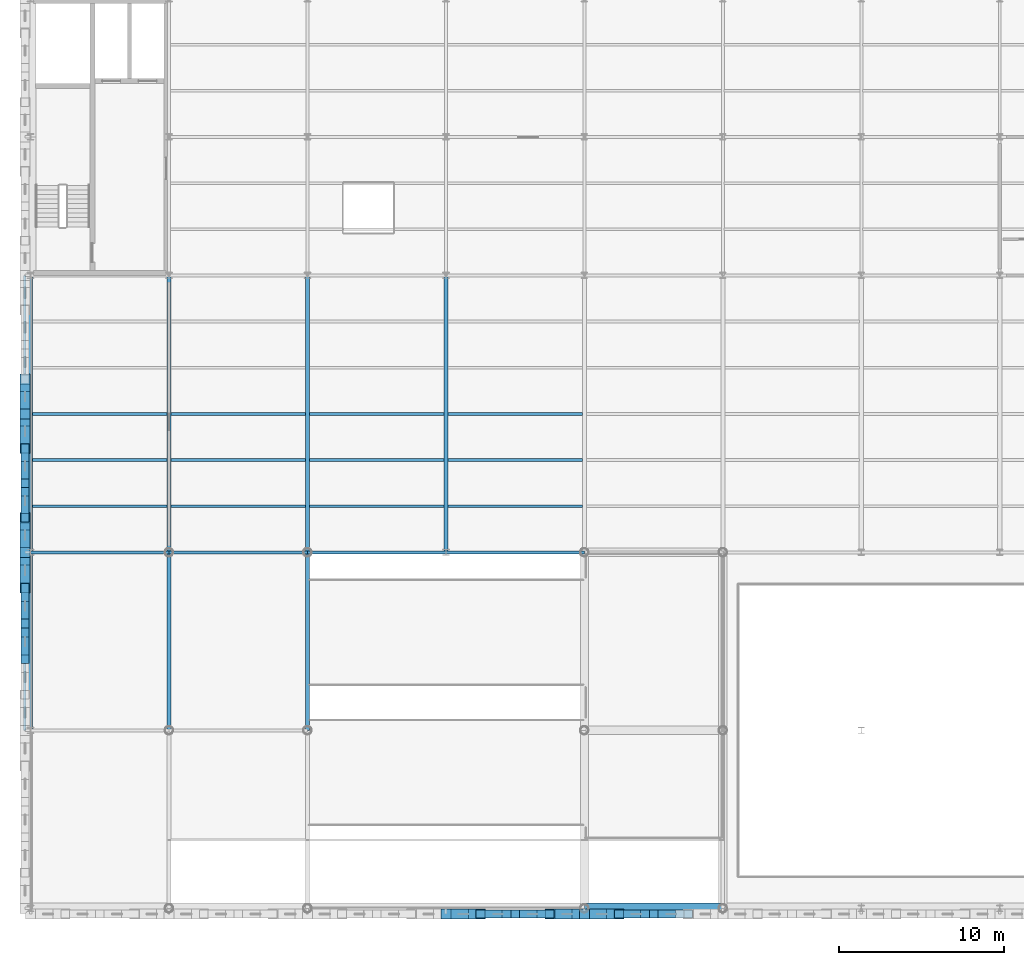
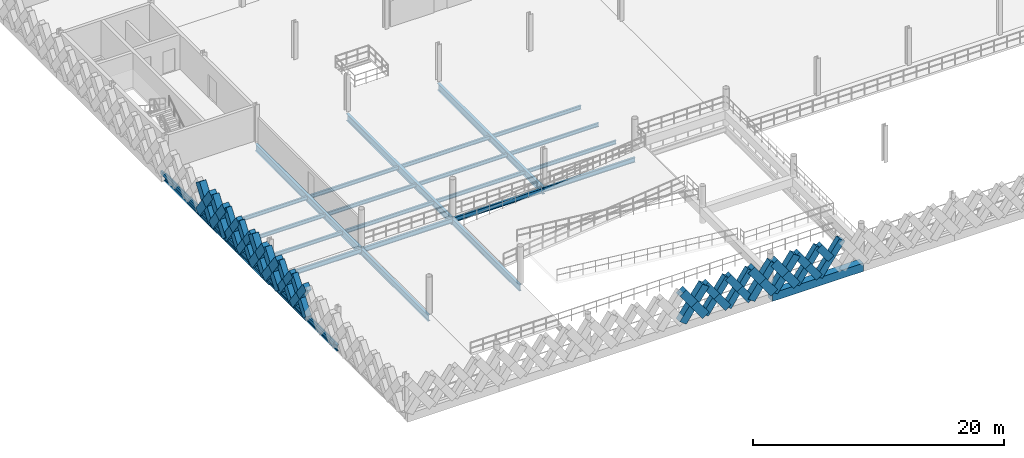
# One storey, part 18 of 74: 46 members, 24 beams.
"""IFC4 building model written with IfcOpenShell, lengths in metres."""

from ifc_helpers import new_model, si_unit, direction, frame, origin, origin_2d, place, context, subcontext, project, spatial, rectangle, hollow_rectangle, i_section, extrude, material, material_profile, profile_set, type_object, element, save


model = new_model("IFC4")

# Units and contexts
model_context = context("Model", 3, precision=1e-05, world=origin(), true_north=direction((0.0, 1.0)))
body_context = subcontext(model_context, "Body", "Model", "MODEL_VIEW")
ifc_project = project(units=[si_unit("LENGTHUNIT", "METRE"), si_unit("AREAUNIT", "SQUARE_METRE"), si_unit("VOLUMEUNIT", "CUBIC_METRE"), si_unit("PLANEANGLEUNIT", "RADIAN"), si_unit("MASSUNIT", "GRAM", prefix="KILO"), si_unit("THERMODYNAMICTEMPERATUREUNIT", "KELVIN"), si_unit("POWERUNIT", "WATT")], contexts=[model_context])

# Site, building, storey
site_placement = place(None, origin())
site = spatial("IfcSite", under=ifc_project, at=site_placement, CompositionType="ELEMENT")
building_placement = place(site_placement, origin())
building = spatial("IfcBuilding", under=site, at=building_placement, Name="Tembeka Court Mobility Hub", CompositionType="ELEMENT")
storey_placement = place(building_placement, frame((0.0, 0.0, 12.60009765625)))
storey = spatial("IfcBuildingStorey", under=building, at=storey_placement, Name="L03", CompositionType="ELEMENT", Elevation=12.60009765625)

# Beams
ifc_material_1 = material(Name="Steel S355", Category="steel")
ifc_material_profile_1 = material_profile(ifc_material_1, i_section(OverallWidth=0.18994140625, OverallDepth=0.45703125, WebThickness=0.009033203125, FlangeThickness=0.014404296875, FilletRadius=0.01025390625, at=origin_2d()), Name="UKB 457x191x74")
ifc_profile_set_1 = profile_set([ifc_material_profile_1], Name="Steel S355")
beam_type_1 = type_object("IfcBeamType", Name="BM-B01", PredefinedType="BEAM", material=ifc_profile_set_1)
beam_1_placement = place(storey_placement, frame((0.0, 21.60009765625, -0.478515625), z_axis=(1.0, 0.0, 0.0), x_axis=(0.0, 1.0, 0.0)))
element("IfcBeam", 1, at=beam_1_placement, inside=storey, type_object=beam_type_1, Name="Beam B01 (BM-L03-X1703)", PredefinedType="BEAM", context=body_context, shape_type="SweptSolid", body=[
    extrude(i_section(OverallWidth=0.18994140625, OverallDepth=0.45703125, WebThickness=0.009033203125, FlangeThickness=0.014404296875, FilletRadius=0.01025390625, at=origin_2d()), origin(), (0.0, 0.0, 1.0), 8.39990234375),
])
beam_2_placement = place(storey_placement, frame((8.39990234375, 21.60009765625, -0.478515625), z_axis=(1.0, 0.0, 0.0), x_axis=(0.0, 1.0, 0.0)))
element("IfcBeam", 2, at=beam_2_placement, inside=storey, type_object=beam_type_1, Name="Beam B01 (BM-L03-X1704)", PredefinedType="BEAM", context=body_context, shape_type="SweptSolid", body=[
    extrude(i_section(OverallWidth=0.18994140625, OverallDepth=0.45703125, WebThickness=0.009033203125, FlangeThickness=0.014404296875, FilletRadius=0.01025390625, at=origin_2d()), origin(), (0.0, 0.0, 1.0), 8.400146484375),
])
beam_3_placement = place(storey_placement, frame((16.800048828125, 21.60009765625, -0.478515625), z_axis=(1.0, 0.0, 0.0), x_axis=(0.0, 1.0, 0.0)))
element("IfcBeam", 3, at=beam_3_placement, inside=storey, type_object=beam_type_1, Name="Beam B01 (BM-L03-X1705)", PredefinedType="BEAM", context=body_context, shape_type="SweptSolid", body=[
    extrude(i_section(OverallWidth=0.18994140625, OverallDepth=0.45703125, WebThickness=0.009033203125, FlangeThickness=0.014404296875, FilletRadius=0.01025390625, at=origin_2d()), origin(), (0.0, 0.0, 1.0), 8.39990234375),
])
beam_4_placement = place(storey_placement, frame((25.199951171875, 21.60009765625, -0.448486328125), z_axis=(1.0, 0.0, 0.0), x_axis=(0.0, 1.0, 0.0)))
element("IfcBeam", 4, at=beam_4_placement, inside=storey, type_object=beam_type_1, Name="Beam B01 (BM-L03-X1706)", PredefinedType="BEAM", context=body_context, shape_type="SweptSolid", body=[
    extrude(i_section(OverallWidth=0.18994140625, OverallDepth=0.45703125, WebThickness=0.009033203125, FlangeThickness=0.014404296875, FilletRadius=0.01025390625, at=origin_2d()), origin(), (0.0, 0.0, 1.0), 8.400146484375),
])
ifc_material_profile_2 = material_profile(ifc_material_1, i_section(OverallWidth=0.25390625, OverallDepth=0.68408203125, WebThickness=0.012451171875, FlangeThickness=0.01904296875, FilletRadius=0.01513671875, at=origin_2d()), Name="UKB 686x254x140")
ifc_profile_set_2 = profile_set([ifc_material_profile_2], Name="Steel S355")
beam_type_2 = type_object("IfcBeamType", Name="BM-G01", PredefinedType="USERDEFINED", material=ifc_profile_set_2)
for number, where, z_axis, x_axis, name in (
    (5, (0.0, 21.60009765625, -0.56201171875), (0.0, 1.0, 0.0), (-1.0, 0.0, 0.0), "Beam G01 (BM-L03-Y1818)"),
    (6, (8.39990234375, 21.60009765625, -0.592041015625), (0.0, 1.0, 0.0), (-1.0, 0.0, 0.0), "Beam G01 (BM-L03-Y1829)"),
    (7, (16.800048828125, 21.60009765625, -0.592041015625), (0.0, 1.0, 0.0), (-1.0, 0.0, 0.0), "Beam G01 (BM-L03-Y1840)"),
    (8, (25.199951171875, 21.60009765625, -0.56201171875), (0.0, 1.0, 0.0), (-1.0, 0.0, 0.0), "Beam G01 (BM-L03-Y1849)"),
):
    element("IfcBeam", number, at=place(storey_placement, frame(where, z_axis=z_axis, x_axis=x_axis)), inside=storey, type_object=beam_type_2, Name=name, ObjectType="GIRDER", PredefinedType="USERDEFINED", context=body_context, shape_type="SweptSolid", body=[
        extrude(i_section(OverallWidth=0.25390625, OverallDepth=0.68408203125, WebThickness=0.012451171875, FlangeThickness=0.01904296875, FilletRadius=0.01513671875, at=origin_2d()), origin(), (0.0, 0.0, 1.0), 16.7998046875),
    ])
ifc_material_profile_3 = material_profile(ifc_material_1, i_section(OverallWidth=0.22900390625, OverallDepth=0.612060546875, WebThickness=0.011962890625, FlangeThickness=0.01953125, FilletRadius=0.0126953125, at=origin_2d()), Name="UKB 610x229x125")
ifc_profile_set_3 = profile_set([ifc_material_profile_3], Name="Steel S355")
beam_type_3 = type_object("IfcBeamType", Name="BM-G02", PredefinedType="USERDEFINED", material=ifc_profile_set_3)
for number, where, z_axis, x_axis, name in (
    (9, (0.0, 10.800048828125, -0.526123046875), (0.0, 1.0, 0.0), (-1.0, 0.0, 0.0), "Beam G02 (BM-L03-Y1817)"),
    (10, (8.39990234375, 10.800048828125, -0.55615234375), (0.0, 1.0, 0.0), (-1.0, 0.0, 0.0), "Beam G02 (BM-L03-Y1828)"),
    (11, (16.800048828125, 10.800048828125, -0.55615234375), (0.0, 1.0, 0.0), (-1.0, 0.0, 0.0), "Beam G02 (BM-L03-Y1839)"),
):
    element("IfcBeam", number, at=place(storey_placement, frame(where, z_axis=z_axis, x_axis=x_axis)), inside=storey, type_object=beam_type_3, Name=name, ObjectType="GIRDER", PredefinedType="USERDEFINED", context=body_context, shape_type="SweptSolid", body=[
        extrude(i_section(OverallWidth=0.22900390625, OverallDepth=0.612060546875, WebThickness=0.011962890625, FlangeThickness=0.01953125, FilletRadius=0.0126953125, at=origin_2d()), origin(), (0.0, 0.0, 1.0), 10.800048828125),
    ])
ifc_material_profile_4 = material_profile(ifc_material_1, i_section(OverallWidth=0.172119140625, OverallDepth=0.35498046875, WebThickness=0.00732421875, FlangeThickness=0.011474609375, FilletRadius=0.01025390625, at=origin_2d()), Name="UKB 356x171x51")
ifc_profile_set_4 = profile_set([ifc_material_profile_4], Name="Steel S355")
beam_type_4 = type_object("IfcBeamType", Name="BM-J01", PredefinedType="JOIST", material=ifc_profile_set_4)
for number, where, z_axis, x_axis, name in (
    (12, (0.1220703125, 24.39990234375, -0.397705078125), (1.0, 0.0, 0.0), (0.0, 1.0, 0.0), "Beam J01 (JST-L03-1946)"),
    (13, (0.1220703125, 27.199951171875, -0.397705078125), (1.0, 0.0, 0.0), (0.0, 1.0, 0.0), "Beam J01 (JST-L03-1947)"),
    (14, (0.1220703125, 30.0, -0.397705078125), (1.0, 0.0, 0.0), (0.0, 1.0, 0.0), "Beam J01 (JST-L03-1948)"),
    (15, (8.52197265625, 24.39990234375, -0.397705078125), (1.0, 0.0, 0.0), (0.0, 1.0, 0.0), "Beam J01 (JST-L03-1958)"),
    (16, (8.52197265625, 27.199951171875, -0.397705078125), (1.0, 0.0, 0.0), (0.0, 1.0, 0.0), "Beam J01 (JST-L03-1959)"),
    (17, (8.52197265625, 30.0, -0.397705078125), (1.0, 0.0, 0.0), (0.0, 1.0, 0.0), "Beam J01 (JST-L03-1960)"),
):
    element("IfcBeam", number, at=place(storey_placement, frame(where, z_axis=z_axis, x_axis=x_axis)), inside=storey, type_object=beam_type_4, Name=name, PredefinedType="JOIST", context=body_context, shape_type="SweptSolid", body=[
        extrude(i_section(OverallWidth=0.172119140625, OverallDepth=0.35498046875, WebThickness=0.00732421875, FlangeThickness=0.011474609375, FilletRadius=0.01025390625, at=origin_2d()), origin(), (0.0, 0.0, 1.0), 8.156005859375),
    ])
for number, where, z_axis, x_axis, name in (
    (18, (16.922119140625, 24.39990234375, -0.397705078125), (1.0, 0.0, 0.0), (0.0, 1.0, 0.0), "Beam J01 (JST-L03-1978)"),
    (19, (16.922119140625, 27.199951171875, -0.397705078125), (1.0, 0.0, 0.0), (0.0, 1.0, 0.0), "Beam J01 (JST-L03-1979)"),
    (20, (16.922119140625, 30.0, -0.397705078125), (1.0, 0.0, 0.0), (0.0, 1.0, 0.0), "Beam J01 (JST-L03-1980)"),
):
    element("IfcBeam", number, at=place(storey_placement, frame(where, z_axis=z_axis, x_axis=x_axis)), inside=storey, type_object=beam_type_4, Name=name, PredefinedType="JOIST", context=body_context, shape_type="SweptSolid", body=[
        extrude(i_section(OverallWidth=0.172119140625, OverallDepth=0.35498046875, WebThickness=0.00732421875, FlangeThickness=0.011474609375, FilletRadius=0.01025390625, at=origin_2d()), origin(), (0.0, 0.0, 1.0), 8.15576171875),
    ])
for number, where, z_axis, x_axis, name in (
    (21, (25.322021484375, 24.39990234375, -0.397705078125), (1.0, 0.0, 0.0), (0.0, 1.0, 0.0), "Beam J01 (JST-L03-1998)"),
    (22, (25.322021484375, 27.199951171875, -0.397705078125), (1.0, 0.0, 0.0), (0.0, 1.0, 0.0), "Beam J01 (JST-L03-1999)"),
    (23, (25.322021484375, 30.0, -0.397705078125), (1.0, 0.0, 0.0), (0.0, 1.0, 0.0), "Beam J01 (JST-L03-2000)"),
):
    element("IfcBeam", number, at=place(storey_placement, frame(where, z_axis=z_axis, x_axis=x_axis)), inside=storey, type_object=beam_type_4, Name=name, PredefinedType="JOIST", context=body_context, shape_type="SweptSolid", body=[
        extrude(i_section(OverallWidth=0.172119140625, OverallDepth=0.35498046875, WebThickness=0.00732421875, FlangeThickness=0.011474609375, FilletRadius=0.01025390625, at=origin_2d()), origin(), (0.0, 0.0, 1.0), 8.156005859375),
    ])
ifc_material_2 = material(Name="Precast concrete C45/55", Category="concrete")
ifc_material_profile_5 = material_profile(ifc_material_2, rectangle(XDim=0.64990234375, YDim=0.800048828125, at=origin_2d()), Name="PC-SP 650x800")
ifc_profile_set_5 = profile_set([ifc_material_profile_5], Name="Precast concrete C45/55")
beam_type_5 = type_object("IfcBeamType", Name="BM-SP01", PredefinedType="SPANDREL", material=ifc_profile_set_5)
beam_5_placement = place(storey_placement, frame((33.60009765625, 0.0, -0.6201171875), z_axis=(1.0, 0.0, 0.0), x_axis=(0.0, 1.0, 0.0)))
element("IfcBeam", 24, at=beam_5_placement, inside=storey, type_object=beam_type_5, Name="Beam SP01 (BM-L03-X1685)", PredefinedType="SPANDREL", context=body_context, shape_type="SweptSolid", body=[
    extrude(rectangle(XDim=0.64990234375, YDim=0.800048828125, at=origin_2d()), origin(), (0.0, 0.0, 1.0), 8.39990234375),
])

# Members
ifc_material_profile_6 = material_profile(ifc_material_2, rectangle(XDim=0.5, YDim=0.64990234375, at=origin_2d()), Name="PC-DIAG 500x650")
ifc_profile_set_6 = profile_set([ifc_material_profile_6], Name="Precast concrete C45/55")
member_type_1 = type_object("IfcMemberType", Name="MEM-DL01", PredefinedType="BRACE", material=ifc_profile_set_6)
member_1_placement = place(storey_placement, frame((27.300048828125, -0.340087890625, 0.02001953125), z_axis=(0.58253161945, 0.0, 0.812808041509), x_axis=(0.0, 1.0, 0.0)))
element("IfcMember", 25, at=member_1_placement, inside=storey, type_object=member_type_1, Name="Precast diamond lattice continuous strand DL01 (L03-402A)", PredefinedType="BRACE", context=body_context, shape_type="SweptSolid", body=[
    extrude(rectangle(XDim=0.5, YDim=0.64990234375, at=origin_2d()), origin(), (0.0, 0.0, 1.0), 3.604736328125),
])
member_2_placement = place(storey_placement, frame((29.39990234375, -0.340087890625, 0.02001953125), z_axis=(-0.582518941428, 0.0, 0.812817127574), x_axis=(0.0, -1.0, 0.0)))
element("IfcMember", 26, at=member_2_placement, inside=storey, type_object=member_type_1, Name="Precast diamond lattice split lower strand DL01 (L03-402B1)", PredefinedType="BRACE", context=body_context, shape_type="SweptSolid", body=[
    extrude(rectangle(XDim=0.5, YDim=0.64990234375, at=origin_2d()), origin(), (0.0, 0.0, 1.0), 1.80224609375),
])
member_3_placement = place(storey_placement, frame((28.35009765625, -0.340087890625, 1.48486328125), z_axis=(-0.582544294934, 0.0, 0.812798956963), x_axis=(0.0, -1.0, 0.0)))
element("IfcMember", 27, at=member_3_placement, inside=storey, type_object=member_type_1, Name="Precast diamond lattice split upper strand DL01 (L03-402B2)", PredefinedType="BRACE", context=body_context, shape_type="SweptSolid", body=[
    extrude(rectangle(XDim=0.5, YDim=0.64990234375, at=origin_2d()), origin(), (0.0, 0.0, 1.0), 1.802490234375),
])
member_4_placement = place(storey_placement, frame((29.39990234375, -0.340087890625, 0.02001953125), z_axis=(0.582576362011, 0.0, 0.812775973086), x_axis=(0.0, 1.0, 0.0)))
element("IfcMember", 28, at=member_4_placement, inside=storey, type_object=member_type_1, Name="Precast diamond lattice continuous strand DL01 (L03-403A)", PredefinedType="BRACE", context=body_context, shape_type="SweptSolid", body=[
    extrude(rectangle(XDim=0.5, YDim=0.64990234375, at=origin_2d()), origin(), (0.0, 0.0, 1.0), 3.604736328125),
])
member_5_placement = place(storey_placement, frame((31.5, -0.340087890625, 0.02001953125), z_axis=(-0.582608431711, 0.0, 0.812752985414), x_axis=(0.0, -1.0, 0.0)))
element("IfcMember", 29, at=member_5_placement, inside=storey, type_object=member_type_1, Name="Precast diamond lattice split lower strand DL01 (L03-403B1)", PredefinedType="BRACE", context=body_context, shape_type="SweptSolid", body=[
    extrude(rectangle(XDim=0.5, YDim=0.64990234375, at=origin_2d()), origin(), (0.0, 0.0, 1.0), 1.80224609375),
])
member_6_placement = place(storey_placement, frame((30.449951171875, -0.340087890625, 1.48486328125), z_axis=(-0.582544294934, 0.0, 0.812798956963), x_axis=(0.0, -1.0, 0.0)))
element("IfcMember", 30, at=member_6_placement, inside=storey, type_object=member_type_1, Name="Precast diamond lattice split upper strand DL01 (L03-403B2)", PredefinedType="BRACE", context=body_context, shape_type="SweptSolid", body=[
    extrude(rectangle(XDim=0.5, YDim=0.64990234375, at=origin_2d()), origin(), (0.0, 0.0, 1.0), 1.802490234375),
])
member_7_placement = place(storey_placement, frame((35.699951171875, -0.340087890625, 0.02001953125), z_axis=(0.582576362011, 0.0, 0.812775973086), x_axis=(0.0, 1.0, 0.0)))
element("IfcMember", 31, at=member_7_placement, inside=storey, type_object=member_type_1, Name="Precast diamond lattice continuous strand DL01 (L03-406A)", PredefinedType="BRACE", context=body_context, shape_type="SweptSolid", body=[
    extrude(rectangle(XDim=0.5, YDim=0.64990234375, at=origin_2d()), origin(), (0.0, 0.0, 1.0), 3.604736328125),
])
member_8_placement = place(storey_placement, frame((37.800048828125, -0.340087890625, 0.02001953125), z_axis=(-0.582608431711, 0.0, 0.812752985414), x_axis=(0.0, -1.0, 0.0)))
element("IfcMember", 32, at=member_8_placement, inside=storey, type_object=member_type_1, Name="Precast diamond lattice split lower strand DL01 (L03-406B1)", PredefinedType="BRACE", context=body_context, shape_type="SweptSolid", body=[
    extrude(rectangle(XDim=0.5, YDim=0.64990234375, at=origin_2d()), origin(), (0.0, 0.0, 1.0), 1.80224609375),
])
member_9_placement = place(storey_placement, frame((36.75, -0.340087890625, 1.48486328125), z_axis=(-0.582544294934, 0.0, 0.812798956963), x_axis=(0.0, -1.0, 0.0)))
element("IfcMember", 33, at=member_9_placement, inside=storey, type_object=member_type_1, Name="Precast diamond lattice split upper strand DL01 (L03-406B2)", PredefinedType="BRACE", context=body_context, shape_type="SweptSolid", body=[
    extrude(rectangle(XDim=0.5, YDim=0.64990234375, at=origin_2d()), origin(), (0.0, 0.0, 1.0), 1.802490234375),
])
member_10_placement = place(storey_placement, frame((37.800048828125, -0.340087890625, 0.02001953125), z_axis=(0.58253161945, 0.0, 0.812808041509), x_axis=(0.0, 1.0, 0.0)))
element("IfcMember", 34, at=member_10_placement, inside=storey, type_object=member_type_1, Name="Precast diamond lattice continuous strand DL01 (L03-407A)", PredefinedType="BRACE", context=body_context, shape_type="SweptSolid", body=[
    extrude(rectangle(XDim=0.5, YDim=0.64990234375, at=origin_2d()), origin(), (0.0, 0.0, 1.0), 3.604736328125),
])
member_11_placement = place(storey_placement, frame((38.85009765625, -0.340087890625, 1.48486328125), z_axis=(-0.582544294934, 0.0, 0.812798956963), x_axis=(0.0, -1.0, 0.0)))
element("IfcMember", 35, at=member_11_placement, inside=storey, type_object=member_type_1, Name="Precast diamond lattice split upper strand DL01 (L03-407B2)", PredefinedType="BRACE", context=body_context, shape_type="SweptSolid", body=[
    extrude(rectangle(XDim=0.5, YDim=0.64990234375, at=origin_2d()), origin(), (0.0, 0.0, 1.0), 1.802490234375),
])
member_12_placement = place(storey_placement, frame((-0.340087890625, 15.1201171875, 0.02001953125), z_axis=(0.0, 0.593379766398, 0.804922637792), x_axis=(-1.0, 0.0, 0.0)))
element("IfcMember", 36, at=member_12_placement, inside=storey, type_object=member_type_1, Name="Precast diamond lattice continuous strand DL01 (L03-484C)", PredefinedType="BRACE", context=body_context, shape_type="SweptSolid", body=[
    extrude(rectangle(XDim=0.5, YDim=0.64990234375, at=origin_2d()), origin(), (0.0, 0.0, 1.0), 3.64013671875),
])
for number, where, z_axis, x_axis, name in (
    (37, (-0.340087890625, 17.280029296875, 0.02001953125), (0.0, -0.593455255298, 0.804866982773), (1.0, 0.0, 0.0), "Precast diamond lattice split lower strand DL01 (L03-484D1)"),
    (38, (-0.340087890625, 16.199951171875, 1.48486328125), (0.0, -0.593304274421, 0.804978284151), (1.0, 0.0, 0.0), "Precast diamond lattice split upper strand DL01 (L03-484D2)"),
):
    element("IfcMember", number, at=place(storey_placement, frame(where, z_axis=z_axis, x_axis=x_axis)), inside=storey, type_object=member_type_1, Name=name, PredefinedType="BRACE", context=body_context, shape_type="SweptSolid", body=[
        extrude(rectangle(XDim=0.5, YDim=0.64990234375, at=origin_2d()), origin(), (0.0, 0.0, 1.0), 1.820068359375),
    ])
member_13_placement = place(storey_placement, frame((-0.340087890625, 17.280029296875, 0.02001953125), z_axis=(0.0, 0.593379766398, 0.804922637792), x_axis=(-1.0, 0.0, 0.0)))
element("IfcMember", 39, at=member_13_placement, inside=storey, type_object=member_type_1, Name="Precast diamond lattice continuous strand DL01 (L03-485C)", PredefinedType="BRACE", context=body_context, shape_type="SweptSolid", body=[
    extrude(rectangle(XDim=0.5, YDim=0.64990234375, at=origin_2d()), origin(), (0.0, 0.0, 1.0), 3.64013671875),
])
member_14_placement = place(storey_placement, frame((-0.340087890625, 19.43994140625, 0.02001953125), z_axis=(0.0, -0.593368344659, 0.804931057642), x_axis=(1.0, 0.0, 0.0)))
element("IfcMember", 40, at=member_14_placement, inside=storey, type_object=member_type_1, Name="Precast diamond lattice split lower strand DL01 (L03-485D1)", PredefinedType="BRACE", context=body_context, shape_type="SweptSolid", body=[
    extrude(rectangle(XDim=0.5, YDim=0.64990234375, at=origin_2d()), origin(), (0.0, 0.0, 1.0), 1.81982421875),
])
member_15_placement = place(storey_placement, frame((-0.340087890625, 18.360107421875, 1.48486328125), z_axis=(0.0, -0.593391185876, 0.804914219358), x_axis=(1.0, 0.0, 0.0)))
element("IfcMember", 41, at=member_15_placement, inside=storey, type_object=member_type_1, Name="Precast diamond lattice split upper strand DL01 (L03-485D2)", PredefinedType="BRACE", context=body_context, shape_type="SweptSolid", body=[
    extrude(rectangle(XDim=0.5, YDim=0.64990234375, at=origin_2d()), origin(), (0.0, 0.0, 1.0), 1.820068359375),
])
member_16_placement = place(storey_placement, frame((-0.340087890625, 23.699951171875, 0.02001953125), z_axis=(0.0, 0.582576362011, 0.812775973086), x_axis=(-1.0, 0.0, 0.0)))
element("IfcMember", 42, at=member_16_placement, inside=storey, type_object=member_type_1, Name="Precast diamond lattice continuous strand DL01 (L03-488C)", PredefinedType="BRACE", context=body_context, shape_type="SweptSolid", body=[
    extrude(rectangle(XDim=0.5, YDim=0.64990234375, at=origin_2d()), origin(), (0.0, 0.0, 1.0), 3.604736328125),
])
member_17_placement = place(storey_placement, frame((-0.340087890625, 25.800048828125, 0.02001953125), z_axis=(0.0, -0.582608431711, 0.812752985414), x_axis=(1.0, 0.0, 0.0)))
element("IfcMember", 43, at=member_17_placement, inside=storey, type_object=member_type_1, Name="Precast diamond lattice split lower strand DL01 (L03-488D1)", PredefinedType="BRACE", context=body_context, shape_type="SweptSolid", body=[
    extrude(rectangle(XDim=0.5, YDim=0.64990234375, at=origin_2d()), origin(), (0.0, 0.0, 1.0), 1.80224609375),
])
member_18_placement = place(storey_placement, frame((-0.340087890625, 24.75, 1.48486328125), z_axis=(0.0, -0.582544294934, 0.812798956963), x_axis=(1.0, 0.0, 0.0)))
element("IfcMember", 44, at=member_18_placement, inside=storey, type_object=member_type_1, Name="Precast diamond lattice split upper strand DL01 (L03-488D2)", PredefinedType="BRACE", context=body_context, shape_type="SweptSolid", body=[
    extrude(rectangle(XDim=0.5, YDim=0.64990234375, at=origin_2d()), origin(), (0.0, 0.0, 1.0), 1.802490234375),
])
member_19_placement = place(storey_placement, frame((-0.340087890625, 25.800048828125, 0.02001953125), z_axis=(0.0, 0.58253161945, 0.812808041509), x_axis=(-1.0, 0.0, 0.0)))
element("IfcMember", 45, at=member_19_placement, inside=storey, type_object=member_type_1, Name="Precast diamond lattice continuous strand DL01 (L03-489C)", PredefinedType="BRACE", context=body_context, shape_type="SweptSolid", body=[
    extrude(rectangle(XDim=0.5, YDim=0.64990234375, at=origin_2d()), origin(), (0.0, 0.0, 1.0), 3.604736328125),
])
member_20_placement = place(storey_placement, frame((-0.340087890625, 27.89990234375, 0.02001953125), z_axis=(0.0, -0.582518941428, 0.812817127574), x_axis=(1.0, 0.0, 0.0)))
element("IfcMember", 46, at=member_20_placement, inside=storey, type_object=member_type_1, Name="Precast diamond lattice split lower strand DL01 (L03-489D1)", PredefinedType="BRACE", context=body_context, shape_type="SweptSolid", body=[
    extrude(rectangle(XDim=0.5, YDim=0.64990234375, at=origin_2d()), origin(), (0.0, 0.0, 1.0), 1.80224609375),
])
member_21_placement = place(storey_placement, frame((-0.340087890625, 26.85009765625, 1.48486328125), z_axis=(0.0, -0.582544294934, 0.812798956963), x_axis=(1.0, 0.0, 0.0)))
element("IfcMember", 47, at=member_21_placement, inside=storey, type_object=member_type_1, Name="Precast diamond lattice split upper strand DL01 (L03-489D2)", PredefinedType="BRACE", context=body_context, shape_type="SweptSolid", body=[
    extrude(rectangle(XDim=0.5, YDim=0.64990234375, at=origin_2d()), origin(), (0.0, 0.0, 1.0), 1.802490234375),
])
ifc_material_profile_7 = material_profile(ifc_material_2, rectangle(XDim=0.60009765625, YDim=0.75, at=origin_2d()), Name="PC-DIAG 600x750")
ifc_profile_set_7 = profile_set([ifc_material_profile_7], Name="Precast concrete C45/55")
member_type_2 = type_object("IfcMemberType", Name="MEM-DL02", PredefinedType="BRACE", material=ifc_profile_set_7)
member_22_placement = place(storey_placement, frame((25.199951171875, -0.340087890625, 0.02001953125), z_axis=(0.582576362011, 0.0, 0.812775973086), x_axis=(0.0, 1.0, 0.0)))
element("IfcMember", 48, at=member_22_placement, inside=storey, type_object=member_type_2, Name="Precast diamond lattice continuous strand DL02 (L03-401A)", PredefinedType="BRACE", context=body_context, shape_type="SweptSolid", body=[
    extrude(rectangle(XDim=0.60009765625, YDim=0.75, at=origin_2d()), origin(), (0.0, 0.0, 1.0), 3.604736328125),
])
member_23_placement = place(storey_placement, frame((27.300048828125, -0.340087890625, 0.02001953125), z_axis=(-0.582608431711, 0.0, 0.812752985414), x_axis=(0.0, -1.0, 0.0)))
element("IfcMember", 49, at=member_23_placement, inside=storey, type_object=member_type_2, Name="Precast diamond lattice split lower strand DL02 (L03-401B1)", PredefinedType="BRACE", context=body_context, shape_type="SweptSolid", body=[
    extrude(rectangle(XDim=0.60009765625, YDim=0.75, at=origin_2d()), origin(), (0.0, 0.0, 1.0), 1.80224609375),
])
member_24_placement = place(storey_placement, frame((26.25, -0.340087890625, 1.48486328125), z_axis=(-0.582544294934, 0.0, 0.812798956963), x_axis=(0.0, -1.0, 0.0)))
element("IfcMember", 50, at=member_24_placement, inside=storey, type_object=member_type_2, Name="Precast diamond lattice split upper strand DL02 (L03-401B2)", PredefinedType="BRACE", context=body_context, shape_type="SweptSolid", body=[
    extrude(rectangle(XDim=0.60009765625, YDim=0.75, at=origin_2d()), origin(), (0.0, 0.0, 1.0), 1.802490234375),
])
member_25_placement = place(storey_placement, frame((31.5, -0.340087890625, 0.02001953125), z_axis=(0.582576362011, 0.0, 0.812775973086), x_axis=(0.0, 1.0, 0.0)))
element("IfcMember", 51, at=member_25_placement, inside=storey, type_object=member_type_2, Name="Precast diamond lattice continuous strand DL02 (L03-404A)", PredefinedType="BRACE", context=body_context, shape_type="SweptSolid", body=[
    extrude(rectangle(XDim=0.60009765625, YDim=0.75, at=origin_2d()), origin(), (0.0, 0.0, 1.0), 3.604736328125),
])
member_26_placement = place(storey_placement, frame((33.60009765625, -0.340087890625, 0.02001953125), z_axis=(-0.582608431711, 0.0, 0.812752985414), x_axis=(0.0, -1.0, 0.0)))
element("IfcMember", 52, at=member_26_placement, inside=storey, type_object=member_type_2, Name="Precast diamond lattice split lower strand DL02 (L03-404B1)", PredefinedType="BRACE", context=body_context, shape_type="SweptSolid", body=[
    extrude(rectangle(XDim=0.60009765625, YDim=0.75, at=origin_2d()), origin(), (0.0, 0.0, 1.0), 1.80224609375),
])
member_27_placement = place(storey_placement, frame((32.550048828125, -0.340087890625, 1.48486328125), z_axis=(-0.582544294934, 0.0, 0.812798956963), x_axis=(0.0, -1.0, 0.0)))
element("IfcMember", 53, at=member_27_placement, inside=storey, type_object=member_type_2, Name="Precast diamond lattice split upper strand DL02 (L03-404B2)", PredefinedType="BRACE", context=body_context, shape_type="SweptSolid", body=[
    extrude(rectangle(XDim=0.60009765625, YDim=0.75, at=origin_2d()), origin(), (0.0, 0.0, 1.0), 1.802490234375),
])
member_28_placement = place(storey_placement, frame((33.60009765625, -0.340087890625, 0.02001953125), z_axis=(0.58253161945, 0.0, 0.812808041509), x_axis=(0.0, 1.0, 0.0)))
element("IfcMember", 54, at=member_28_placement, inside=storey, type_object=member_type_2, Name="Precast diamond lattice continuous strand DL02 (L03-405A)", PredefinedType="BRACE", context=body_context, shape_type="SweptSolid", body=[
    extrude(rectangle(XDim=0.60009765625, YDim=0.75, at=origin_2d()), origin(), (0.0, 0.0, 1.0), 3.604736328125),
])
member_29_placement = place(storey_placement, frame((35.699951171875, -0.340087890625, 0.02001953125), z_axis=(-0.582608431711, 0.0, 0.812752985414), x_axis=(0.0, -1.0, 0.0)))
element("IfcMember", 55, at=member_29_placement, inside=storey, type_object=member_type_2, Name="Precast diamond lattice split lower strand DL02 (L03-405B1)", PredefinedType="BRACE", context=body_context, shape_type="SweptSolid", body=[
    extrude(rectangle(XDim=0.60009765625, YDim=0.75, at=origin_2d()), origin(), (0.0, 0.0, 1.0), 1.80224609375),
])
member_30_placement = place(storey_placement, frame((34.64990234375, -0.340087890625, 1.48486328125), z_axis=(-0.582454804382, 0.0, 0.812863088627), x_axis=(0.0, -1.0, 0.0)))
element("IfcMember", 56, at=member_30_placement, inside=storey, type_object=member_type_2, Name="Precast diamond lattice split upper strand DL02 (L03-405B2)", PredefinedType="BRACE", context=body_context, shape_type="SweptSolid", body=[
    extrude(rectangle(XDim=0.60009765625, YDim=0.75, at=origin_2d()), origin(), (0.0, 0.0, 1.0), 1.802490234375),
])
member_31_placement = place(storey_placement, frame((-0.340087890625, 19.43994140625, 0.02001953125), z_axis=(0.0, 0.593423219328, 0.804890602978), x_axis=(-1.0, 0.0, 0.0)))
element("IfcMember", 57, at=member_31_placement, inside=storey, type_object=member_type_2, Name="Precast diamond lattice continuous strand DL02 (L03-486C)", PredefinedType="BRACE", context=body_context, shape_type="SweptSolid", body=[
    extrude(rectangle(XDim=0.60009765625, YDim=0.75, at=origin_2d()), origin(), (0.0, 0.0, 1.0), 3.64013671875),
])
for number, where, z_axis, x_axis, name in (
    (58, (-0.340087890625, 21.60009765625, 0.02001953125), (0.0, -0.593455255298, 0.804866982773), (1.0, 0.0, 0.0), "Precast diamond lattice split lower strand DL02 (L03-486D1)"),
    (59, (-0.340087890625, 20.52001953125, 1.48486328125), (0.0, -0.593391185876, 0.804914219358), (1.0, 0.0, 0.0), "Precast diamond lattice split upper strand DL02 (L03-486D2)"),
):
    element("IfcMember", number, at=place(storey_placement, frame(where, z_axis=z_axis, x_axis=x_axis)), inside=storey, type_object=member_type_2, Name=name, PredefinedType="BRACE", context=body_context, shape_type="SweptSolid", body=[
        extrude(rectangle(XDim=0.60009765625, YDim=0.75, at=origin_2d()), origin(), (0.0, 0.0, 1.0), 1.820068359375),
    ])
member_32_placement = place(storey_placement, frame((-0.340087890625, 21.60009765625, 0.02001953125), z_axis=(0.0, 0.58253161945, 0.812808041509), x_axis=(-1.0, 0.0, 0.0)))
element("IfcMember", 60, at=member_32_placement, inside=storey, type_object=member_type_2, Name="Precast diamond lattice continuous strand DL02 (L03-487C)", PredefinedType="BRACE", context=body_context, shape_type="SweptSolid", body=[
    extrude(rectangle(XDim=0.60009765625, YDim=0.75, at=origin_2d()), origin(), (0.0, 0.0, 1.0), 3.604736328125),
])
member_33_placement = place(storey_placement, frame((-0.340087890625, 23.699951171875, 0.02001953125), z_axis=(0.0, -0.582608431711, 0.812752985414), x_axis=(1.0, 0.0, 0.0)))
element("IfcMember", 61, at=member_33_placement, inside=storey, type_object=member_type_2, Name="Precast diamond lattice split lower strand DL02 (L03-487D1)", PredefinedType="BRACE", context=body_context, shape_type="SweptSolid", body=[
    extrude(rectangle(XDim=0.60009765625, YDim=0.75, at=origin_2d()), origin(), (0.0, 0.0, 1.0), 1.80224609375),
])
member_34_placement = place(storey_placement, frame((-0.340087890625, 22.64990234375, 1.48486328125), z_axis=(0.0, -0.582454804382, 0.812863088627), x_axis=(1.0, 0.0, 0.0)))
element("IfcMember", 62, at=member_34_placement, inside=storey, type_object=member_type_2, Name="Precast diamond lattice split upper strand DL02 (L03-487D2)", PredefinedType="BRACE", context=body_context, shape_type="SweptSolid", body=[
    extrude(rectangle(XDim=0.60009765625, YDim=0.75, at=origin_2d()), origin(), (0.0, 0.0, 1.0), 1.802490234375),
])
member_35_placement = place(storey_placement, frame((-0.340087890625, 27.89990234375, 0.02001953125), z_axis=(0.0, 0.582576362011, 0.812775973086), x_axis=(-1.0, 0.0, 0.0)))
element("IfcMember", 63, at=member_35_placement, inside=storey, type_object=member_type_2, Name="Precast diamond lattice continuous strand DL02 (L03-490C)", PredefinedType="BRACE", context=body_context, shape_type="SweptSolid", body=[
    extrude(rectangle(XDim=0.60009765625, YDim=0.75, at=origin_2d()), origin(), (0.0, 0.0, 1.0), 3.604736328125),
])
member_36_placement = place(storey_placement, frame((-0.340087890625, 30.0, 0.02001953125), z_axis=(0.0, -0.582608431711, 0.812752985414), x_axis=(1.0, 0.0, 0.0)))
element("IfcMember", 64, at=member_36_placement, inside=storey, type_object=member_type_2, Name="Precast diamond lattice split lower strand DL02 (L03-490D1)", PredefinedType="BRACE", context=body_context, shape_type="SweptSolid", body=[
    extrude(rectangle(XDim=0.60009765625, YDim=0.75, at=origin_2d()), origin(), (0.0, 0.0, 1.0), 1.80224609375),
])
member_37_placement = place(storey_placement, frame((-0.340087890625, 28.949951171875, 1.48486328125), z_axis=(0.0, -0.582544294934, 0.812798956963), x_axis=(1.0, 0.0, 0.0)))
element("IfcMember", 65, at=member_37_placement, inside=storey, type_object=member_type_2, Name="Precast diamond lattice split upper strand DL02 (L03-490D2)", PredefinedType="BRACE", context=body_context, shape_type="SweptSolid", body=[
    extrude(rectangle(XDim=0.60009765625, YDim=0.75, at=origin_2d()), origin(), (0.0, 0.0, 1.0), 1.802490234375),
])
member_38_placement = place(storey_placement, frame((-0.340087890625, 30.0, 0.02001953125), z_axis=(0.0, 0.582576362011, 0.812775973086), x_axis=(-1.0, 0.0, 0.0)))
element("IfcMember", 66, at=member_38_placement, inside=storey, type_object=member_type_2, Name="Precast diamond lattice continuous strand DL02 (L03-491C)", PredefinedType="BRACE", context=body_context, shape_type="SweptSolid", body=[
    extrude(rectangle(XDim=0.60009765625, YDim=0.75, at=origin_2d()), origin(), (0.0, 0.0, 1.0), 3.604736328125),
])
member_39_placement = place(storey_placement, frame((-0.340087890625, 32.10009765625, 0.02001953125), z_axis=(0.0, -0.582608431711, 0.812752985414), x_axis=(1.0, 0.0, 0.0)))
element("IfcMember", 67, at=member_39_placement, inside=storey, type_object=member_type_2, Name="Precast diamond lattice split lower strand DL02 (L03-491D1)", PredefinedType="BRACE", context=body_context, shape_type="SweptSolid", body=[
    extrude(rectangle(XDim=0.60009765625, YDim=0.75, at=origin_2d()), origin(), (0.0, 0.0, 1.0), 1.80224609375),
])
member_40_placement = place(storey_placement, frame((-0.340087890625, 31.050048828125, 1.48486328125), z_axis=(0.0, -0.582544294934, 0.812798956963), x_axis=(1.0, 0.0, 0.0)))
element("IfcMember", 68, at=member_40_placement, inside=storey, type_object=member_type_2, Name="Precast diamond lattice split upper strand DL02 (L03-491D2)", PredefinedType="BRACE", context=body_context, shape_type="SweptSolid", body=[
    extrude(rectangle(XDim=0.60009765625, YDim=0.75, at=origin_2d()), origin(), (0.0, 0.0, 1.0), 1.802490234375),
])
ifc_material_profile_8 = material_profile(ifc_material_1, hollow_rectangle(XDim=0.14990234375, YDim=0.300048828125, WallThickness=0.010009765625, at=origin_2d()), Name="RHS 300x150x10")
ifc_profile_set_8 = profile_set([ifc_material_profile_8], Name="Steel S355")
member_type_3 = type_object("IfcMemberType", Name="MEM-ST03", PredefinedType="STRUT", material=ifc_profile_set_8)
member_41_placement = place(storey_placement, frame((-0.340087890625, 10.800048828125, 0.02001953125), z_axis=(0.0, 1.0, 0.0), x_axis=(-1.0, 0.0, 0.0)))
element("IfcMember", 69, at=member_41_placement, inside=storey, type_object=member_type_3, Name="Proud lattice sill tie chord SR03 (L03-W-10)", PredefinedType="STRUT", context=body_context, shape_type="SweptSolid", body=[
    extrude(hollow_rectangle(XDim=0.14990234375, YDim=0.300048828125, WallThickness=0.010009765625, at=origin_2d()), origin(), (0.0, 0.0, 1.0), 10.800048828125),
])
member_42_placement = place(storey_placement, frame((-0.340087890625, 21.60009765625, 0.02001953125), z_axis=(0.0, 1.0, 0.0), x_axis=(-1.0, 0.0, 0.0)))
element("IfcMember", 70, at=member_42_placement, inside=storey, type_object=member_type_3, Name="Proud lattice sill tie chord SR03 (L03-W-21)", PredefinedType="STRUT", context=body_context, shape_type="SweptSolid", body=[
    extrude(hollow_rectangle(XDim=0.14990234375, YDim=0.300048828125, WallThickness=0.010009765625, at=origin_2d()), origin(), (0.0, 0.0, 1.0), 16.7998046875),
])

save(model, "model.ifc")
